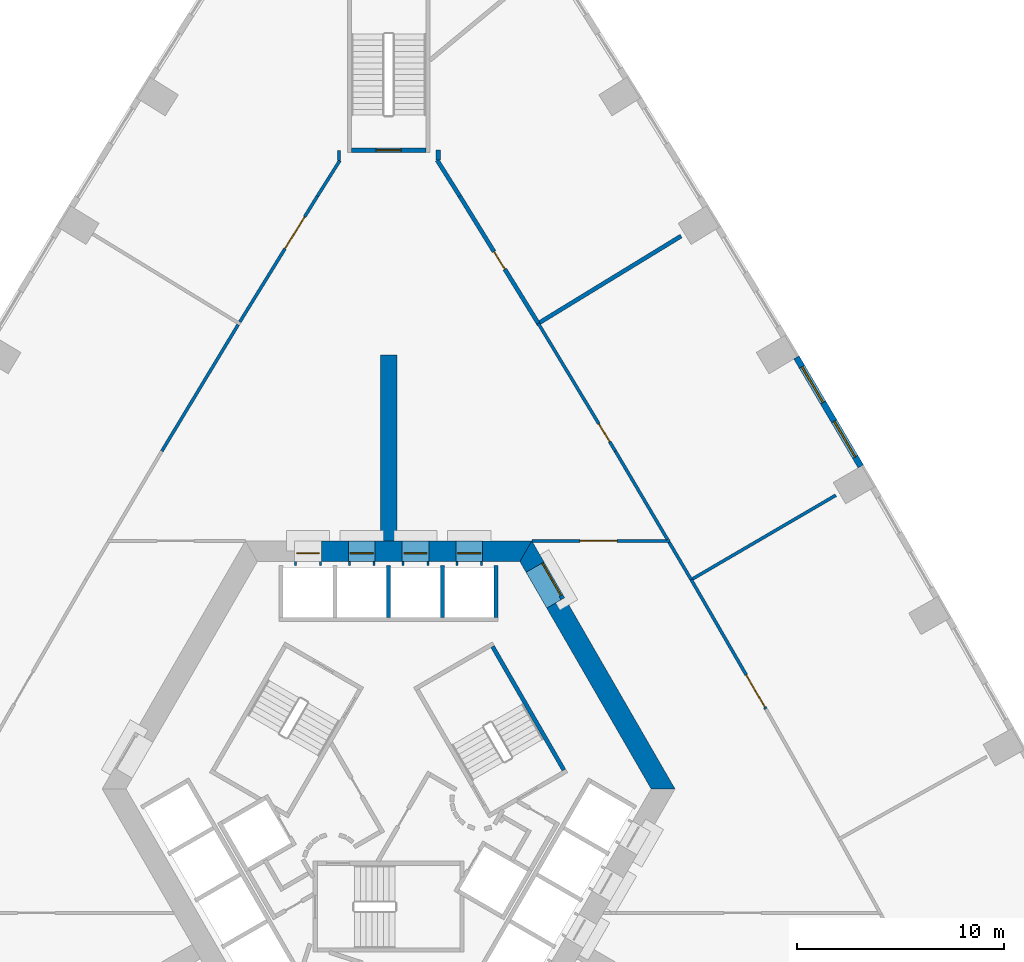
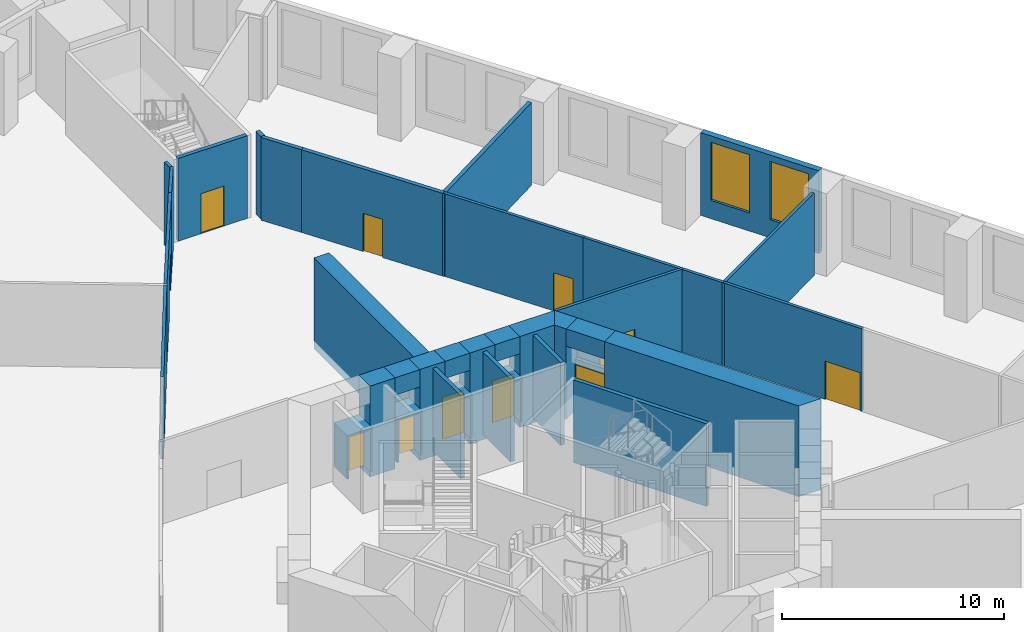
# One storey, part 6 of 16: 36 walls, 11 doors, 2 windows, 13 openings.
"""IFC4 building model written with IfcOpenShell, lengths in metres."""

from ifc_helpers import new_model, si_unit, direction, frame, frame_2d, origin, place, context, subcontext, project, spatial, polyline, rectangle, outline, extrude, material, layer, layer_set, type_object, element, fill, save


model = new_model("IFC4")

# Units and contexts
model_context = context("Model", 3, precision=1e-05, world=origin(), true_north=direction((0.0, 1.0)))
body_context = subcontext(model_context, "Body", "Model", "MODEL_VIEW")
ifc_project = project(units=[si_unit("LENGTHUNIT", "METRE"), si_unit("AREAUNIT", "SQUARE_METRE"), si_unit("VOLUMEUNIT", "CUBIC_METRE"), si_unit("PLANEANGLEUNIT", "RADIAN"), si_unit("MASSUNIT", "GRAM", prefix="KILO")], contexts=[model_context])

# Site, building, storey
site_placement = place(None, origin())
site = spatial("IfcSite", under=ifc_project, at=site_placement, CompositionType="ELEMENT")
building_placement = place(site_placement, origin())
building = spatial("IfcBuilding", under=site, at=building_placement, Name="Entoto Arch Interchange Tower", CompositionType="ELEMENT")
storey_placement = place(building_placement, frame((0.0, 0.0, 25.0)))
storey = spatial("IfcBuildingStorey", under=building, at=storey_placement, Name="L04", CompositionType="ELEMENT", Elevation=25.0)

# Wall
ifc_material_1 = material(Name="Concrete C60/75", Category="concrete")
ifc_layer_1 = layer(ifc_material_1, 0.800048828125)
ifc_layer_set_1 = layer_set([ifc_layer_1], Name="Concrete C60/75")
wall_type_1 = type_object("IfcWallType", Name="Buttress wall 800 C60/75", PredefinedType="SHEAR", material=ifc_layer_set_1)
wall_1_placement = place(storey_placement, frame((0.0, 14.5, -0.449951171875), z_axis=(0.0, 0.0, 1.0), x_axis=(0.0, 1.0, 0.0)))
element("IfcWall", 1, at=wall_1_placement, inside=storey, type_object=wall_type_1, Name="Buttress wall N L04", PredefinedType="SHEAR", context=body_context, shape_type="SweptSolid", body=[
    extrude(rectangle(XDim=9.0, YDim=0.800048828125, at=frame_2d((4.5, 0.0))), origin(), (0.0, 0.0, 1.0), 5.0),
])

# Wall, opening, door
ifc_material_2 = material(Name="Reinforced concrete C40/50", Category="concrete")
ifc_layer_2 = layer(ifc_material_2, 0.199951171875)
ifc_layer_set_2 = layer_set([ifc_layer_2], Name="Reinforced concrete C40/50")
wall_type_2 = type_object("IfcWallType", Name="CORE GAP INFILL WALL", PredefinedType="PARTITIONING", material=ifc_layer_set_2)
wall_2_placement = place(storey_placement, frame((8.429931640625, 11.697998046875, 0.0), z_axis=(0.0, 0.0, 1.0), x_axis=(-0.50002537861, 0.866010750942, 0.0)))
wall_2 = element("IfcWall", 2, at=wall_2_placement, inside=storey, type_object=wall_type_2, Name="wall:L04:gap2", PredefinedType="PARTITIONING", context=body_context, shape_type="SweptSolid", body=[
    extrude(rectangle(XDim=2.0, YDim=0.199951171875, at=frame_2d((1.0, 0.0))), origin(), (0.0, 0.0, 1.0), 2.39990234375),
])
opening_1_placement = place(wall_2_placement, frame((0.18994140625, 0.0, 0.0)))
opening_1 = element("IfcOpeningElement", 3, at=opening_1_placement, cuts=wall_2, Name="Opening L04-D92", PredefinedType="OPENING", context=body_context, shape_type="SweptSolid", body=[
    extrude(rectangle(XDim=1.800048828125, YDim=2.10009765625, at=frame_2d((0.89990234375, 1.050048828125))), frame((0.0, 0.10986328125, 0.0), z_axis=(0.0, -1.0, 0.0), x_axis=(1.0, 0.0, 0.0)), (0.0, 0.0, 1.0), 0.219970703125),
])
ifc_material_3 = material(Name="Fire-rated Steel S235 door and frame", Category="steel")
door_type_1 = type_object("IfcDoorType", Name="DOOR FD-18 1800x2100", OperationType="DOUBLE_DOOR_SINGLE_SWING", PredefinedType="DOOR", material=ifc_material_3)
door_1_placement = place(opening_1_placement, origin())
door_1 = element("IfcDoor", 4, at=door_1_placement, inside=storey, type_object=door_type_1, Name="door:L04:gap2", OperationType="DOUBLE_DOOR_SINGLE_SWING", OverallHeight=2.10009765625, OverallWidth=1.800048828125, PredefinedType="DOOR", context=body_context, shape_type="SweptSolid", body=[
    extrude(rectangle(XDim=1.800048828125, YDim=2.10009765625, at=frame_2d((0.89990234375, 1.050048828125))), frame((0.0, 0.02490234375, 0.0), z_axis=(0.0, -1.0, 0.0), x_axis=(1.0, 0.0, 0.0)), (0.0, 0.0, 1.0), 0.050048828125),
])
fill(opening_1, door_1)

# Walls
ifc_layer_3 = layer(ifc_material_1, 1.0)
ifc_layer_set_3 = layer_set([ifc_layer_3], Name="Concrete C60/75")
wall_type_3 = type_object("IfcWallType", Name="Core wall 1000 C60/75", PredefinedType="SHEAR", material=ifc_layer_set_3)
wall_3_placement = place(storey_placement, frame((0.0, 0.0, -0.449951171875)))
element("IfcWall", 5, at=wall_3_placement, inside=storey, type_object=wall_type_3, Name="Core wall NE L04", PredefinedType="SHEAR", context=body_context, shape_type="SweptSolid", body=[
    extrude(outline(polyline([(8.51708984375, 11.748046875), (7.65087890625, 11.248046875), (12.701904296875, 2.5), (13.85595703125, 2.5), (8.51708984375, 11.748046875)])), origin(), (0.0, 0.0, 1.0), 5.0),
])
wall_4_placement = place(storey_placement, frame((0.0, 0.0, -0.449951171875)))
element("IfcWall", 6, at=wall_4_placement, inside=storey, type_object=wall_type_3, Name="Core wall NE L04", PredefinedType="SHEAR", context=body_context, shape_type="SweptSolid", body=[
    extrude(outline(polyline([(6.65087890625, 12.97998046875), (7.51708984375, 13.47998046875), (6.927978515625, 14.5), (6.35107421875, 13.5), (6.65087890625, 12.97998046875)])), origin(), (0.0, 0.0, 1.0), 5.0),
])
wall_5_placement = place(storey_placement, frame((0.0, 0.0, 3.60009765625)))
element("IfcWall", 7, at=wall_5_placement, inside=storey, type_object=wall_type_3, Name="Core wall lintel NE L04", PredefinedType="SHEAR", context=body_context, shape_type="SweptSolid", body=[
    extrude(outline(polyline([(7.51708984375, 13.47998046875), (6.65087890625, 12.97998046875), (7.65087890625, 11.248046875), (8.51708984375, 11.748046875), (7.51708984375, 13.47998046875)])), origin(), (0.0, 0.0, 1.0), 0.949951171875),
])
wall_6_placement = place(storey_placement, frame((0.0, 0.0, -0.449951171875)))
element("IfcWall", 8, at=wall_6_placement, inside=storey, type_object=wall_type_3, Name="Core wall N L04", PredefinedType="SHEAR", context=body_context, shape_type="SweptSolid", body=[
    extrude(outline(polyline([(4.550048828125, 14.5), (4.550048828125, 13.5), (6.35107421875, 13.5), (6.927978515625, 14.5), (4.550048828125, 14.5)])), origin(), (0.0, 0.0, 1.0), 5.0),
])
wall_7_placement = place(storey_placement, frame((0.0, 0.0, -0.449951171875)))
element("IfcWall", 9, at=wall_7_placement, inside=storey, type_object=wall_type_3, Name="Core wall N L04", PredefinedType="SHEAR", context=body_context, shape_type="SweptSolid", body=[
    extrude(outline(polyline([(1.949951171875, 14.5), (1.949951171875, 13.5), (3.25, 13.5), (3.25, 14.5), (1.949951171875, 14.5)])), origin(), (0.0, 0.0, 1.0), 5.0),
])
wall_8_placement = place(storey_placement, frame((0.0, 0.0, -0.449951171875)))
element("IfcWall", 10, at=wall_8_placement, inside=storey, type_object=wall_type_3, Name="Core wall N L04", PredefinedType="SHEAR", context=body_context, shape_type="SweptSolid", body=[
    extrude(outline(polyline([(-0.64990234375, 14.5), (-0.64990234375, 13.5), (0.64990234375, 13.5), (0.64990234375, 14.5), (-0.64990234375, 14.5)])), origin(), (0.0, 0.0, 1.0), 5.0),
])
wall_9_placement = place(storey_placement, frame((0.0, 0.0, -0.449951171875)))
element("IfcWall", 11, at=wall_9_placement, inside=storey, type_object=wall_type_3, Name="Core wall N L04", PredefinedType="SHEAR", context=body_context, shape_type="SweptSolid", body=[
    extrude(outline(polyline([(-3.25, 14.5), (-3.25, 13.5), (-1.949951171875, 13.5), (-1.949951171875, 14.5), (-3.25, 14.5)])), origin(), (0.0, 0.0, 1.0), 5.0),
])
wall_10_placement = place(storey_placement, frame((0.0, 0.0, 3.60009765625)))
element("IfcWall", 12, at=wall_10_placement, inside=storey, type_object=wall_type_3, Name="Core wall lintel N L04", PredefinedType="SHEAR", context=body_context, shape_type="SweptSolid", body=[
    extrude(outline(polyline([(3.25, 14.5), (3.25, 13.5), (4.550048828125, 13.5), (4.550048828125, 14.5), (3.25, 14.5)])), origin(), (0.0, 0.0, 1.0), 0.949951171875),
])
wall_11_placement = place(storey_placement, frame((0.0, 0.0, 3.60009765625)))
element("IfcWall", 13, at=wall_11_placement, inside=storey, type_object=wall_type_3, Name="Core wall lintel N L04", PredefinedType="SHEAR", context=body_context, shape_type="SweptSolid", body=[
    extrude(outline(polyline([(0.64990234375, 14.5), (0.64990234375, 13.5), (1.949951171875, 13.5), (1.949951171875, 14.5), (0.64990234375, 14.5)])), origin(), (0.0, 0.0, 1.0), 0.949951171875),
])
wall_12_placement = place(storey_placement, frame((0.0, 0.0, 3.60009765625)))
element("IfcWall", 14, at=wall_12_placement, inside=storey, type_object=wall_type_3, Name="Core wall lintel N L04", PredefinedType="SHEAR", context=body_context, shape_type="SweptSolid", body=[
    extrude(outline(polyline([(-1.949951171875, 14.5), (-1.949951171875, 13.5), (-0.64990234375, 13.5), (-0.64990234375, 14.5), (-1.949951171875, 14.5)])), origin(), (0.0, 0.0, 1.0), 0.949951171875),
])

# Wall, opening, door
ifc_material_4 = material(Name="Concrete C40/50", Category="concrete")
ifc_layer_4 = layer(ifc_material_4, 1.199951171875)
ifc_layer_set_4 = layer_set([ifc_layer_4], Name="Concrete C40/50")
wall_type_4 = type_object("IfcWallType", Name="LIFT LANDING INFILL WALL", PredefinedType="STANDARD", material=ifc_layer_set_4)
wall_13_placement = place(storey_placement, frame((4.550048828125, 13.89990234375, 0.0), z_axis=(0.0, 0.0, 1.0), x_axis=(-1.0, 0.0, 0.0)))
wall_13 = element("IfcWall", 15, at=wall_13_placement, inside=storey, type_object=wall_type_4, Name="Lift landing infill wall LR1 L04", PredefinedType="STANDARD", context=body_context, shape_type="SweptSolid", body=[
    extrude(rectangle(XDim=1.300048828125, YDim=1.199951171875, at=frame_2d((0.64990234375, 0.0))), origin(), (0.0, 0.0, 1.0), 2.39990234375),
])
opening_2_placement = place(wall_13_placement, frame((0.10009765625, 0.0, 0.0)))
opening_2 = element("IfcOpeningElement", 16, at=opening_2_placement, cuts=wall_13, Name="Opening LD-LR1-L04", PredefinedType="OPENING", context=body_context, shape_type="SweptSolid", body=[
    extrude(rectangle(XDim=1.10009765625, YDim=2.300048828125, at=frame_2d((0.550048828125, 1.14990234375))), frame((0.0, 0.60986328125, 0.0), z_axis=(0.0, -1.0, 0.0), x_axis=(1.0, 0.0, 0.0)), (0.0, 0.0, 1.0), 1.219970703125),
])
ifc_material_5 = material(Name="Stainless steel 1.4301 panels", Category="steel")
door_type_2 = type_object("IfcDoorType", Name="LIFT LANDING DOOR LD2 1100x2300", OperationType="SLIDING_TO_LEFT", PredefinedType="DOOR", material=ifc_material_5)
door_2_placement = place(opening_2_placement, origin())
door_2 = element("IfcDoor", 17, at=door_2_placement, inside=storey, type_object=door_type_2, Name="Lift landing door LR1 L04", OperationType="SLIDING_TO_LEFT", OverallHeight=2.300048828125, OverallWidth=1.10009765625, PredefinedType="DOOR", context=body_context, shape_type="SweptSolid", body=[
    extrude(rectangle(XDim=1.10009765625, YDim=2.300048828125, at=frame_2d((0.550048828125, 1.14990234375))), frame((0.0, 0.02490234375, 0.0), z_axis=(0.0, -1.0, 0.0), x_axis=(1.0, 0.0, 0.0)), (0.0, 0.0, 1.0), 0.050048828125),
])
fill(opening_2, door_2)

wall_14_placement = place(storey_placement, frame((1.949951171875, 13.89990234375, 0.0), z_axis=(0.0, 0.0, 1.0), x_axis=(-1.0, 0.0, 0.0)))
wall_14 = element("IfcWall", 18, at=wall_14_placement, inside=storey, type_object=wall_type_4, Name="Lift landing infill wall LR2 L04", PredefinedType="STANDARD", context=body_context, shape_type="SweptSolid", body=[
    extrude(rectangle(XDim=1.300048828125, YDim=1.199951171875, at=frame_2d((0.64990234375, 0.0))), origin(), (0.0, 0.0, 1.0), 2.39990234375),
])
opening_3_placement = place(wall_14_placement, frame((0.10009765625, 0.0, 0.0)))
opening_3 = element("IfcOpeningElement", 19, at=opening_3_placement, cuts=wall_14, Name="Opening LD-LR2-L04", PredefinedType="OPENING", context=body_context, shape_type="SweptSolid", body=[
    extrude(rectangle(XDim=1.10009765625, YDim=2.300048828125, at=frame_2d((0.550048828125, 1.14990234375))), frame((0.0, 0.60986328125, 0.0), z_axis=(0.0, -1.0, 0.0), x_axis=(1.0, 0.0, 0.0)), (0.0, 0.0, 1.0), 1.219970703125),
])
door_3_placement = place(opening_3_placement, origin())
door_3 = element("IfcDoor", 20, at=door_3_placement, inside=storey, type_object=door_type_2, Name="Lift landing door LR2 L04", OperationType="SLIDING_TO_LEFT", OverallHeight=2.300048828125, OverallWidth=1.10009765625, PredefinedType="DOOR", context=body_context, shape_type="SweptSolid", body=[
    extrude(rectangle(XDim=1.10009765625, YDim=2.300048828125, at=frame_2d((0.550048828125, 1.14990234375))), frame((0.0, 0.02490234375, 0.0), z_axis=(0.0, -1.0, 0.0), x_axis=(1.0, 0.0, 0.0)), (0.0, 0.0, 1.0), 0.050048828125),
])
fill(opening_3, door_3)

wall_15_placement = place(storey_placement, frame((-0.64990234375, 13.89990234375, 0.0), z_axis=(0.0, 0.0, 1.0), x_axis=(-1.0, 0.0, 0.0)))
wall_15 = element("IfcWall", 21, at=wall_15_placement, inside=storey, type_object=wall_type_4, Name="Lift landing infill wall LR3 L04", PredefinedType="STANDARD", context=body_context, shape_type="SweptSolid", body=[
    extrude(rectangle(XDim=1.300048828125, YDim=1.199951171875, at=frame_2d((0.64990234375, 0.0))), origin(), (0.0, 0.0, 1.0), 2.39990234375),
])
opening_4_placement = place(wall_15_placement, frame((0.10009765625, 0.0, 0.0)))
opening_4 = element("IfcOpeningElement", 22, at=opening_4_placement, cuts=wall_15, Name="Opening LD-LR3-L04", PredefinedType="OPENING", context=body_context, shape_type="SweptSolid", body=[
    extrude(rectangle(XDim=1.10009765625, YDim=2.300048828125, at=frame_2d((0.550048828125, 1.14990234375))), frame((0.0, 0.60986328125, 0.0), z_axis=(0.0, -1.0, 0.0), x_axis=(1.0, 0.0, 0.0)), (0.0, 0.0, 1.0), 1.219970703125),
])
door_4_placement = place(opening_4_placement, origin())
door_4 = element("IfcDoor", 23, at=door_4_placement, inside=storey, type_object=door_type_2, Name="Lift landing door LR3 L04", OperationType="SLIDING_TO_LEFT", OverallHeight=2.300048828125, OverallWidth=1.10009765625, PredefinedType="DOOR", context=body_context, shape_type="SweptSolid", body=[
    extrude(rectangle(XDim=1.10009765625, YDim=2.300048828125, at=frame_2d((0.550048828125, 1.14990234375))), frame((0.0, 0.02490234375, 0.0), z_axis=(0.0, -1.0, 0.0), x_axis=(1.0, 0.0, 0.0)), (0.0, 0.0, 1.0), 0.050048828125),
])
fill(opening_4, door_4)

wall_16_placement = place(storey_placement, frame((-3.25, 13.89990234375, 0.0), z_axis=(0.0, 0.0, 1.0), x_axis=(-1.0, 0.0, 0.0)))
wall_16 = element("IfcWall", 24, at=wall_16_placement, inside=storey, type_object=wall_type_4, Name="Lift landing infill wall LR4 L04", PredefinedType="STANDARD", context=body_context, shape_type="SweptSolid", body=[
    extrude(rectangle(XDim=1.300048828125, YDim=1.199951171875, at=frame_2d((0.64990234375, 0.0))), origin(), (0.0, 0.0, 1.0), 2.39990234375),
])
opening_5_placement = place(wall_16_placement, frame((0.10009765625, 0.0, 0.0)))
opening_5 = element("IfcOpeningElement", 25, at=opening_5_placement, cuts=wall_16, Name="Opening LD-LR4-L04", PredefinedType="OPENING", context=body_context, shape_type="SweptSolid", body=[
    extrude(rectangle(XDim=1.10009765625, YDim=2.300048828125, at=frame_2d((0.550048828125, 1.14990234375))), frame((0.0, 0.60986328125, 0.0), z_axis=(0.0, -1.0, 0.0), x_axis=(1.0, 0.0, 0.0)), (0.0, 0.0, 1.0), 1.219970703125),
])
door_5_placement = place(opening_5_placement, origin())
door_5 = element("IfcDoor", 26, at=door_5_placement, inside=storey, type_object=door_type_2, Name="Lift landing door LR4 L04", OperationType="SLIDING_TO_LEFT", OverallHeight=2.300048828125, OverallWidth=1.10009765625, PredefinedType="DOOR", context=body_context, shape_type="SweptSolid", body=[
    extrude(rectangle(XDim=1.10009765625, YDim=2.300048828125, at=frame_2d((0.550048828125, 1.14990234375))), frame((0.0, 0.02490234375, 0.0), z_axis=(0.0, -1.0, 0.0), x_axis=(1.0, 0.0, 0.0)), (0.0, 0.0, 1.0), 0.050048828125),
])
fill(opening_5, door_5)

# Walls
ifc_layer_5 = layer(ifc_material_4, 0.199951171875)
ifc_layer_set_5 = layer_set([ifc_layer_5], Name="Concrete C40/50")
wall_type_5 = type_object("IfcWallType", Name="LIFT SHAFT WALL 200", PredefinedType="STANDARD", material=ifc_layer_set_5)
for number, where, z_axis, x_axis, name in (
    (27, (5.199951171875, 10.800048828125, 0.0), (0.0, 0.0, 1.0), (0.0, 1.0, 0.0), "Shaft wall N3 cross 1"),
    (28, (2.60009765625, 10.800048828125, 0.0), (0.0, 0.0, 1.0), (0.0, 1.0, 0.0), "Shaft wall N3 cross 2"),
    (29, (0.0, 10.800048828125, 0.0), (0.0, 0.0, 1.0), (0.0, 1.0, 0.0), "Shaft wall N3 cross 3"),
):
    element("IfcWall", number, at=place(storey_placement, frame(where, z_axis=z_axis, x_axis=x_axis)), inside=storey, type_object=wall_type_5, Name=name, PredefinedType="STANDARD", context=body_context, shape_type="SweptSolid", body=[
        extrude(rectangle(XDim=2.5, YDim=0.199951171875, at=frame_2d((1.25, 0.0))), origin(), (0.0, 0.0, 1.0), 4.550048828125),
    ])
ifc_material_6 = material(Name="Gypsum board partition on steel studs", Category="steel")
ifc_layer_6 = layer(ifc_material_6, 0.14990234375)
ifc_layer_set_6 = layer_set([ifc_layer_6], Name="Gypsum board partition on steel studs")
wall_type_6 = type_object("IfcWallType", Name="PARTITION 150", PredefinedType="PARTITIONING", material=ifc_layer_set_6)
wall_17_placement = place(storey_placement, frame((14.576904296875, 12.583984375, 0.0), z_axis=(0.0, 0.0, 1.0), x_axis=(0.863499311522, 0.504350016358, 0.0)))
element("IfcWall", 30, at=wall_17_placement, inside=storey, type_object=wall_type_6, Name="wall:L04:p053", PredefinedType="PARTITIONING", context=body_context, shape_type="SweptSolid", body=[
    extrude(rectangle(XDim=8.175048828125, YDim=0.14990234375, at=frame_2d((4.08740234375, 0.0))), origin(), (0.0, 0.0, 1.0), 4.550048828125),
])

# Wall, opening, door
wall_18_placement = place(storey_placement, frame((18.251953125, 6.367919921875, 0.0), z_axis=(0.0, 0.0, 1.0), x_axis=(-0.499899030103, 0.866083690934, 0.0)))
wall_18 = element("IfcWall", 31, at=wall_18_placement, inside=storey, type_object=wall_type_6, Name="wall:L04:p055", PredefinedType="PARTITIONING", context=body_context, shape_type="SweptSolid", body=[
    extrude(rectangle(XDim=7.22119140625, YDim=0.14990234375, at=frame_2d((3.610595703125, 0.0))), origin(), (0.0, 0.0, 1.0), 4.550048828125),
])
opening_6_placement = place(wall_18_placement, frame((0.10009765625, 0.0, 0.0)))
opening_6 = element("IfcOpeningElement", 32, at=opening_6_placement, cuts=wall_18, Name="Opening L04-D08", PredefinedType="OPENING", context=body_context, shape_type="SweptSolid", body=[
    extrude(rectangle(XDim=1.800048828125, YDim=2.10009765625, at=frame_2d((0.89990234375, 1.050048828125))), frame((0.0, 0.0849609375, 0.0), z_axis=(0.0, -1.0, 0.0), x_axis=(1.0, 0.0, 0.0)), (0.0, 0.0, 1.0), 0.169921875),
])
ifc_material_7 = material(Name="Timber door leaf in Steel S235 frame", Category="steel")
door_type_3 = type_object("IfcDoorType", Name="DOOR DD-18 1800x2100", OperationType="DOUBLE_DOOR_SINGLE_SWING", PredefinedType="DOOR", material=ifc_material_7)
door_6_placement = place(opening_6_placement, origin())
door_6 = element("IfcDoor", 33, at=door_6_placement, inside=storey, type_object=door_type_3, Name="door:L04:08", OperationType="DOUBLE_DOOR_SINGLE_SWING", OverallHeight=2.10009765625, OverallWidth=1.800048828125, PredefinedType="DOOR", context=body_context, shape_type="SweptSolid", body=[
    extrude(rectangle(XDim=1.800048828125, YDim=2.10009765625, at=frame_2d((0.89990234375, 1.050048828125))), frame((0.0, 0.02490234375, 0.0), z_axis=(0.0, -1.0, 0.0), x_axis=(1.0, 0.0, 0.0)), (0.0, 0.0, 1.0), 0.050048828125),
])
fill(opening_6, door_6)

# Walls
wall_19_placement = place(storey_placement, frame((14.64111328125, 12.623046875, 0.0), z_axis=(0.0, 0.0, 1.0), x_axis=(-0.508494775472, 0.861065074961, 0.0)))
element("IfcWall", 34, at=wall_19_placement, inside=storey, type_object=wall_type_6, Name="wall:L04:p057", PredefinedType="PARTITIONING", context=body_context, shape_type="SweptSolid", body=[
    extrude(rectangle(XDim=2.1044921875, YDim=0.14990234375, at=frame_2d((1.05224609375, 0.0))), origin(), (0.0, 0.0, 1.0), 4.550048828125),
])
wall_20_placement = place(storey_placement, frame((13.4951171875, 14.56494140625, 0.0), z_axis=(0.0, 0.0, 1.0), x_axis=(-0.508429753822, 0.861103469641, 0.0)))
element("IfcWall", 35, at=wall_20_placement, inside=storey, type_object=wall_type_6, Name="wall:L04:p058", PredefinedType="PARTITIONING", context=body_context, shape_type="SweptSolid", body=[
    extrude(rectangle(XDim=4.970458984375, YDim=0.14990234375, at=frame_2d((2.4853515625, 0.0))), origin(), (0.0, 0.0, 1.0), 4.550048828125),
])

# Wall, opening, door
wall_21_placement = place(storey_placement, frame((10.968017578125, 18.844970703125, 0.0), z_axis=(0.0, 0.0, 1.0), x_axis=(-0.516619201563, 0.856215277005, 0.0)))
wall_21 = element("IfcWall", 36, at=wall_21_placement, inside=storey, type_object=wall_type_6, Name="wall:L04:p059", PredefinedType="PARTITIONING", context=body_context, shape_type="SweptSolid", body=[
    extrude(rectangle(XDim=7.21435546875, YDim=0.14990234375, at=frame_2d((3.607177734375, 0.0))), origin(), (0.0, 0.0, 1.0), 4.550048828125),
])
opening_7_placement = place(wall_21_placement, frame((0.533935546875, 0.0, 0.0)))
opening_7 = element("IfcOpeningElement", 37, at=opening_7_placement, cuts=wall_21, Name="Opening L04-D09", PredefinedType="OPENING", context=body_context, shape_type="SweptSolid", body=[
    extrude(rectangle(XDim=1.0, YDim=2.10009765625, at=frame_2d((0.5, 1.050048828125))), frame((0.0, 0.0849609375, 0.0), z_axis=(0.0, -1.0, 0.0), x_axis=(1.0, 0.0, 0.0)), (0.0, 0.0, 1.0), 0.169921875),
])
door_type_4 = type_object("IfcDoorType", Name="DOOR DS-10 1000x2100", OperationType="SINGLE_SWING_LEFT", PredefinedType="DOOR", material=ifc_material_7)
door_7_placement = place(opening_7_placement, origin())
door_7 = element("IfcDoor", 38, at=door_7_placement, inside=storey, type_object=door_type_4, Name="door:L04:09", OperationType="SINGLE_SWING_LEFT", OverallHeight=2.10009765625, OverallWidth=1.0, PredefinedType="DOOR", context=body_context, shape_type="SweptSolid", body=[
    extrude(rectangle(XDim=1.0, YDim=2.10009765625, at=frame_2d((0.5, 1.050048828125))), frame((0.0, 0.02490234375, 0.0), z_axis=(0.0, -1.0, 0.0), x_axis=(1.0, 0.0, 0.0)), (0.0, 0.0, 1.0), 0.050048828125),
])
fill(opening_7, door_7)

# Walls
wall_22_placement = place(storey_placement, frame((-2.39990234375, 33.375, 0.0), z_axis=(0.0, 0.0, 1.0), x_axis=(0.0, -1.0, 0.0)))
element("IfcWall", 39, at=wall_22_placement, inside=storey, type_object=wall_type_6, Name="wall:L04:p067", PredefinedType="PARTITIONING", context=body_context, shape_type="SweptSolid", body=[
    extrude(rectangle(XDim=0.464111328125, YDim=0.14990234375, at=frame_2d((0.23193359375, 0.0))), origin(), (0.0, 0.0, 1.0), 4.550048828125),
])
wall_23_placement = place(storey_placement, frame((-2.360107421875, 32.89892578125, 0.0), z_axis=(0.0, 0.0, 1.0), x_axis=(-0.533179492261, -0.846002144815, 0.0)))
element("IfcWall", 40, at=wall_23_placement, inside=storey, type_object=wall_type_6, Name="wall:L04:p068", PredefinedType="PARTITIONING", context=body_context, shape_type="SweptSolid", body=[
    extrude(rectangle(XDim=2.032958984375, YDim=0.14990234375, at=frame_2d((1.0166015625, 0.0))), origin(), (0.0, 0.0, 1.0), 4.550048828125),
])

# Wall, opening, door
wall_24_placement = place(storey_placement, frame((-3.444091796875, 31.178955078125, 0.0), z_axis=(0.0, 0.0, 1.0), x_axis=(-0.52494313189, -0.851137302838, 0.0)))
wall_24 = element("IfcWall", 41, at=wall_24_placement, inside=storey, type_object=wall_type_6, Name="wall:L04:p069", PredefinedType="PARTITIONING", context=body_context, shape_type="SweptSolid", body=[
    extrude(rectangle(XDim=7.149169921875, YDim=0.14990234375, at=frame_2d((3.57470703125, 0.0))), origin(), (0.0, 0.0, 1.0), 4.550048828125),
])
opening_8_placement = place(wall_24_placement, frame((1.18408203125, 0.0, 0.0)))
opening_8 = element("IfcOpeningElement", 42, at=opening_8_placement, cuts=wall_24, Name="Opening L04-D11", PredefinedType="OPENING", context=body_context, shape_type="SweptSolid", body=[
    extrude(rectangle(XDim=1.800048828125, YDim=2.10009765625, at=frame_2d((0.89990234375, 1.050048828125))), frame((0.0, 0.0849609375, 0.0), z_axis=(0.0, -1.0, 0.0), x_axis=(1.0, 0.0, 0.0)), (0.0, 0.0, 1.0), 0.169921875),
])
door_8_placement = place(opening_8_placement, origin())
door_8 = element("IfcDoor", 43, at=door_8_placement, inside=storey, type_object=door_type_3, Name="door:L04:11", OperationType="DOUBLE_DOOR_SINGLE_SWING", OverallHeight=2.10009765625, OverallWidth=1.800048828125, PredefinedType="DOOR", context=body_context, shape_type="SweptSolid", body=[
    extrude(rectangle(XDim=1.800048828125, YDim=2.10009765625, at=frame_2d((0.89990234375, 1.050048828125))), frame((0.0, 0.02490234375, 0.0), z_axis=(0.0, -1.0, 0.0), x_axis=(1.0, 0.0, 0.0)), (0.0, 0.0, 1.0), 0.050048828125),
])
fill(opening_8, door_8)

# Wall
wall_25_placement = place(storey_placement, frame((-7.280029296875, 24.9580078125, 0.0), z_axis=(0.0, 0.0, 1.0), x_axis=(-0.516571176119, -0.856244252538, 0.0)))
element("IfcWall", 44, at=wall_25_placement, inside=storey, type_object=wall_type_6, Name="wall:L04:p074", PredefinedType="PARTITIONING", context=body_context, shape_type="SweptSolid", body=[
    extrude(rectangle(XDim=7.139404296875, YDim=0.14990234375, at=frame_2d((3.56982421875, 0.0))), origin(), (0.0, 0.0, 1.0), 4.550048828125),
])

# Wall, opening, door
wall_26_placement = place(storey_placement, frame((6.927978515625, 14.5, 0.0), z_axis=(0.0, 0.0, 1.0), x_axis=(1.0, 0.0, 0.0)))
wall_26 = element("IfcWall", 45, at=wall_26_placement, inside=storey, type_object=wall_type_6, Name="wall:L04:p086", PredefinedType="PARTITIONING", context=body_context, shape_type="SweptSolid", body=[
    extrude(rectangle(XDim=6.679931640625, YDim=0.14990234375, at=frame_2d((3.33984375, 0.0))), origin(), (0.0, 0.0, 1.0), 4.550048828125),
])
opening_9_placement = place(wall_26_placement, frame((2.326904296875, 0.0, 0.0)))
opening_9 = element("IfcOpeningElement", 46, at=opening_9_placement, cuts=wall_26, Name="Opening L04-D03", PredefinedType="OPENING", context=body_context, shape_type="SweptSolid", body=[
    extrude(rectangle(XDim=1.800048828125, YDim=2.10009765625, at=frame_2d((0.89990234375, 1.050048828125))), frame((0.0, 0.0849609375, 0.0), z_axis=(0.0, -1.0, 0.0), x_axis=(1.0, 0.0, 0.0)), (0.0, 0.0, 1.0), 0.169921875),
])
door_9_placement = place(opening_9_placement, origin())
door_9 = element("IfcDoor", 47, at=door_9_placement, inside=storey, type_object=door_type_1, Name="door:L04:03", OperationType="DOUBLE_DOOR_SINGLE_SWING", OverallHeight=2.10009765625, OverallWidth=1.800048828125, PredefinedType="DOOR", context=body_context, shape_type="SweptSolid", body=[
    extrude(rectangle(XDim=1.800048828125, YDim=2.10009765625, at=frame_2d((0.89990234375, 1.050048828125))), frame((0.0, 0.02490234375, 0.0), z_axis=(0.0, -1.0, 0.0), x_axis=(1.0, 0.0, 0.0)), (0.0, 0.0, 1.0), 0.050048828125),
])
fill(opening_9, door_9)

# Walls
ifc_layer_7 = layer(ifc_material_6, 0.199951171875)
ifc_layer_set_7 = layer_set([ifc_layer_7], Name="Gypsum board partition on steel studs")
wall_type_7 = type_object("IfcWallType", Name="PARTITION 200", PredefinedType="PARTITIONING", material=ifc_layer_set_7)
wall_27_placement = place(storey_placement, frame((7.156005859375, 24.969970703125, 0.0), z_axis=(0.0, 0.0, 1.0), x_axis=(0.853189087451, 0.52160174564, 0.0)))
element("IfcWall", 48, at=wall_27_placement, inside=storey, type_object=wall_type_7, Name="wall:L04:p056", PredefinedType="PARTITIONING", context=body_context, shape_type="SweptSolid", body=[
    extrude(rectangle(XDim=8.199951171875, YDim=0.199951171875, at=frame_2d((4.10009765625, 0.0))), origin(), (0.0, 0.0, 1.0), 4.550048828125),
])
wall_28_placement = place(storey_placement, frame((3.444091796875, 31.178955078125, 0.0), z_axis=(0.0, 0.0, 1.0), x_axis=(-0.53294851268, 0.846147672001, 0.0)))
element("IfcWall", 49, at=wall_28_placement, inside=storey, type_object=wall_type_7, Name="wall:L04:p063", PredefinedType="PARTITIONING", context=body_context, shape_type="SweptSolid", body=[
    extrude(rectangle(XDim=2.05859375, YDim=0.199951171875, at=frame_2d((1.029296875, 0.0))), origin(), (0.0, 0.0, 1.0), 4.550048828125),
])
wall_29_placement = place(storey_placement, frame((2.39990234375, 32.93603515625, 0.0), z_axis=(0.0, 0.0, 1.0), x_axis=(0.0, 1.0, 0.0)))
element("IfcWall", 50, at=wall_29_placement, inside=storey, type_object=wall_type_7, Name="wall:L04:p064", PredefinedType="PARTITIONING", context=body_context, shape_type="SweptSolid", body=[
    extrude(rectangle(XDim=0.4638671875, YDim=0.199951171875, at=frame_2d((0.23193359375, 0.0))), origin(), (0.0, 0.0, 1.0), 4.550048828125),
])

# Wall, opening, door
wall_30_placement = place(storey_placement, frame((7.236083984375, 25.030029296875, 0.0), z_axis=(0.0, 0.0, 1.0), x_axis=(-0.524904209579, 0.851161307137, 0.0)))
wall_30 = element("IfcWall", 51, at=wall_30_placement, inside=storey, type_object=wall_type_7, Name="wall:L04:p065", PredefinedType="PARTITIONING", context=body_context, shape_type="SweptSolid", body=[
    extrude(rectangle(XDim=7.22412109375, YDim=0.199951171875, at=frame_2d((3.612060546875, 0.0))), origin(), (0.0, 0.0, 1.0), 4.550048828125),
])
opening_10_placement = place(wall_30_placement, frame((3.070068359375, 0.0, 0.0)))
opening_10 = element("IfcOpeningElement", 52, at=opening_10_placement, cuts=wall_30, Name="Opening L04-D10", PredefinedType="OPENING", context=body_context, shape_type="SweptSolid", body=[
    extrude(rectangle(XDim=1.0, YDim=2.10009765625, at=frame_2d((0.5, 1.050048828125))), frame((0.0, 0.10986328125, 0.0), z_axis=(0.0, -1.0, 0.0), x_axis=(1.0, 0.0, 0.0)), (0.0, 0.0, 1.0), 0.219970703125),
])
door_10_placement = place(opening_10_placement, origin())
door_10 = element("IfcDoor", 53, at=door_10_placement, inside=storey, type_object=door_type_4, Name="door:L04:10", OperationType="SINGLE_SWING_RIGHT", OverallHeight=2.10009765625, OverallWidth=1.0, PredefinedType="DOOR", context=body_context, shape_type="SweptSolid", body=[
    extrude(rectangle(XDim=1.0, YDim=2.10009765625, at=frame_2d((0.5, 1.050048828125))), frame((0.0, 0.02490234375, 0.0), z_axis=(0.0, -1.0, 0.0), x_axis=(1.0, 0.0, 0.0)), (0.0, 0.0, 1.0), 0.050048828125),
])
fill(opening_10, door_10)

# Wall
ifc_layer_8 = layer(ifc_material_4, 0.199951171875)
ifc_layer_set_8 = layer_set([ifc_layer_8], Name="Concrete C40/50")
wall_type_8 = type_object("IfcWallType", Name="STAIR ENCLOSURE WALL 200", PredefinedType="STANDARD", material=ifc_layer_set_8)
wall_31_placement = place(storey_placement, frame((8.47998046875, 3.412109375, 0.0), z_axis=(0.0, 0.0, 1.0), x_axis=(-0.499978703459, 0.866037698999, 0.0)))
element("IfcWall", 54, at=wall_31_placement, inside=storey, type_object=wall_type_8, Name="Stair wall ST-NE back", PredefinedType="STANDARD", context=body_context, shape_type="SweptSolid", body=[
    extrude(rectangle(XDim=6.900146484375, YDim=0.199951171875, at=frame_2d((3.4501953125, 0.0))), origin(), (0.0, 0.0, 1.0), 4.550048828125),
])

# Wall, opening, door
wall_32_placement = place(storey_placement, frame((1.800048828125, 33.39990234375, 0.0), z_axis=(0.0, 0.0, 1.0), x_axis=(-1.0, 0.0, 0.0)))
wall_32 = element("IfcWall", 55, at=wall_32_placement, inside=storey, type_object=wall_type_8, Name="Stair wall PST-N near", PredefinedType="STANDARD", context=body_context, shape_type="SweptSolid", body=[
    extrude(rectangle(XDim=3.60009765625, YDim=0.199951171875, at=frame_2d((1.800048828125, 0.0))), origin(), (0.0, 0.0, 1.0), 4.550048828125),
])
opening_11_placement = place(wall_32_placement, frame((1.199951171875, 0.0, 0.0)))
opening_11 = element("IfcOpeningElement", 56, at=opening_11_placement, cuts=wall_32, Name="Opening SD-PST-N-L04", PredefinedType="OPENING", context=body_context, shape_type="SweptSolid", body=[
    extrude(rectangle(XDim=1.199951171875, YDim=2.199951171875, at=frame_2d((0.60009765625, 1.10009765625))), frame((0.0, 0.10986328125, 0.0), z_axis=(0.0, -1.0, 0.0), x_axis=(1.0, 0.0, 0.0)), (0.0, 0.0, 1.0), 0.219970703125),
])
ifc_material_8 = material(Name="Steel S235", Category="steel")
door_type_5 = type_object("IfcDoorType", Name="STAIR DOOR SD2 1200x2200", OperationType="SINGLE_SWING_LEFT", PredefinedType="DOOR", material=ifc_material_8)
door_11_placement = place(opening_11_placement, origin())
door_11 = element("IfcDoor", 57, at=door_11_placement, inside=storey, type_object=door_type_5, Name="Stair door PST-N L04", OperationType="SINGLE_SWING_LEFT", OverallHeight=2.199951171875, OverallWidth=1.199951171875, PredefinedType="DOOR", context=body_context, shape_type="SweptSolid", body=[
    extrude(rectangle(XDim=1.199951171875, YDim=2.199951171875, at=frame_2d((0.60009765625, 1.10009765625))), frame((0.0, 0.02490234375, 0.0), z_axis=(0.0, -1.0, 0.0), x_axis=(1.0, 0.0, 0.0)), (0.0, 0.0, 1.0), 0.050048828125),
])
fill(opening_11, door_11)

# Wall, openings, windows
ifc_material_9 = material(Name="Welded tuff (ignimbrite) cladding, warm buff", Category="masonry")
ifc_layer_9 = layer(ifc_material_9, 0.300048828125)
ifc_layer_set_9 = layer_set([ifc_layer_9], Name="Welded tuff (ignimbrite) cladding, warm buff")
wall_type_9 = type_object("IfcWallType", Name="STONE INFILL WALL 300", PredefinedType="STANDARD", material=ifc_layer_set_9)
wall_33_placement = place(storey_placement, frame((22.843017578125, 18.10498046875, 0.0), z_axis=(0.0, 0.0, 1.0), x_axis=(-0.50834231483, 0.861155091115, 0.0)))
wall_33 = element("IfcWall", 58, at=wall_33_placement, inside=storey, type_object=wall_type_9, Name="Facade wall NE-06 L04", PredefinedType="STANDARD", context=body_context, shape_type="SweptSolid", body=[
    extrude(rectangle(XDim=6.1220703125, YDim=0.300048828125, at=frame_2d((3.06103515625, 0.0))), origin(), (0.0, 0.0, 1.0), 4.550048828125),
])
opening_12_placement = place(wall_33_placement, frame((0.530029296875, 0.0, 1.0)))
opening_12 = element("IfcOpeningElement", 59, at=opening_12_placement, cuts=wall_33, Name="Opening WP-E", PredefinedType="OPENING", context=body_context, shape_type="SweptSolid", body=[
    extrude(rectangle(XDim=2.0, YDim=3.199951171875, at=frame_2d((1.0, 1.60009765625))), frame((0.0, 0.16015625, 0.0), z_axis=(0.0, -1.0, 0.0), x_axis=(1.0, 0.0, 0.0)), (0.0, 0.0, 1.0), 0.320068359375),
])
opening_13_placement = place(wall_33_placement, frame((3.591064453125, 0.0, 1.0)))
opening_13 = element("IfcOpeningElement", 60, at=opening_13_placement, cuts=wall_33, Name="Opening WP-E", PredefinedType="OPENING", context=body_context, shape_type="SweptSolid", body=[
    extrude(rectangle(XDim=2.0, YDim=3.199951171875, at=frame_2d((1.0, 1.60009765625))), frame((0.0, 0.16015625, 0.0), z_axis=(0.0, -1.0, 0.0), x_axis=(1.0, 0.0, 0.0)), (0.0, 0.0, 1.0), 0.320068359375),
])
ifc_material_10 = material(Name="Clear glass, low-e double glazed", Category="glass")
window_type = type_object("IfcWindowType", Name="WINDOW WP-E 2000x3200", PartitioningType="DOUBLE_PANEL_VERTICAL", PredefinedType="WINDOW", material=ifc_material_10)
window_1_placement = place(opening_12_placement, origin())
window_1 = element("IfcWindow", 61, at=window_1_placement, inside=storey, type_object=window_type, Name="Window WP-E NE-06 L04", OverallHeight=3.199951171875, OverallWidth=2.0, PartitioningType="SINGLE_PANEL", PredefinedType="WINDOW", context=body_context, shape_type="SweptSolid", body=[
    extrude(rectangle(XDim=2.0, YDim=3.199951171875, at=frame_2d((1.0, 1.60009765625))), frame((0.0, 0.030029296875, 0.0), z_axis=(0.0, -1.0, 0.0), x_axis=(1.0, 0.0, 0.0)), (0.0, 0.0, 1.0), 0.06005859375),
])
fill(opening_12, window_1)
window_2_placement = place(opening_13_placement, origin())
window_2 = element("IfcWindow", 62, at=window_2_placement, inside=storey, type_object=window_type, Name="Window WP-E NE-06 L04", OverallHeight=3.199951171875, OverallWidth=2.0, PartitioningType="SINGLE_PANEL", PredefinedType="WINDOW", context=body_context, shape_type="SweptSolid", body=[
    extrude(rectangle(XDim=2.0, YDim=3.199951171875, at=frame_2d((1.0, 1.60009765625))), frame((0.0, 0.030029296875, 0.0), z_axis=(0.0, -1.0, 0.0), x_axis=(1.0, 0.0, 0.0)), (0.0, 0.0, 1.0), 0.06005859375),
])
fill(opening_13, window_2)

save(model, "model.ifc")
